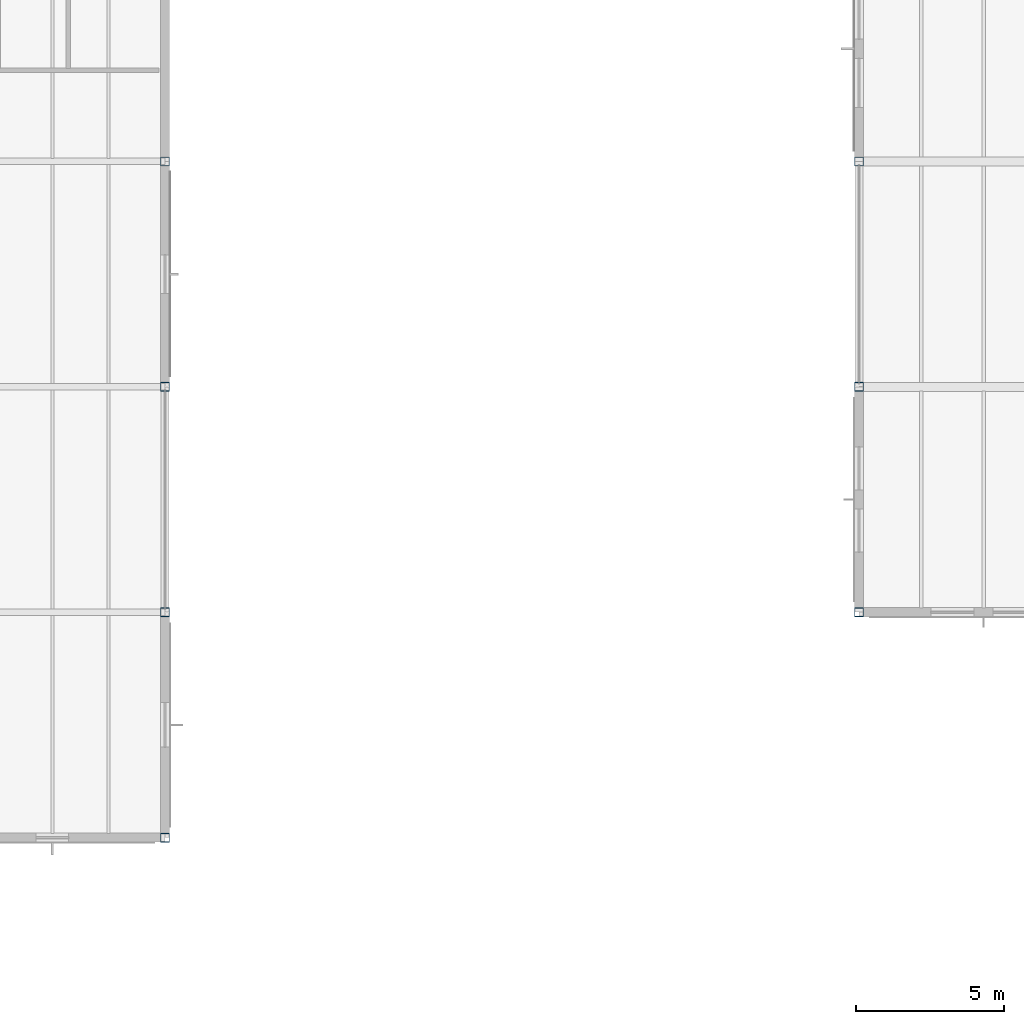
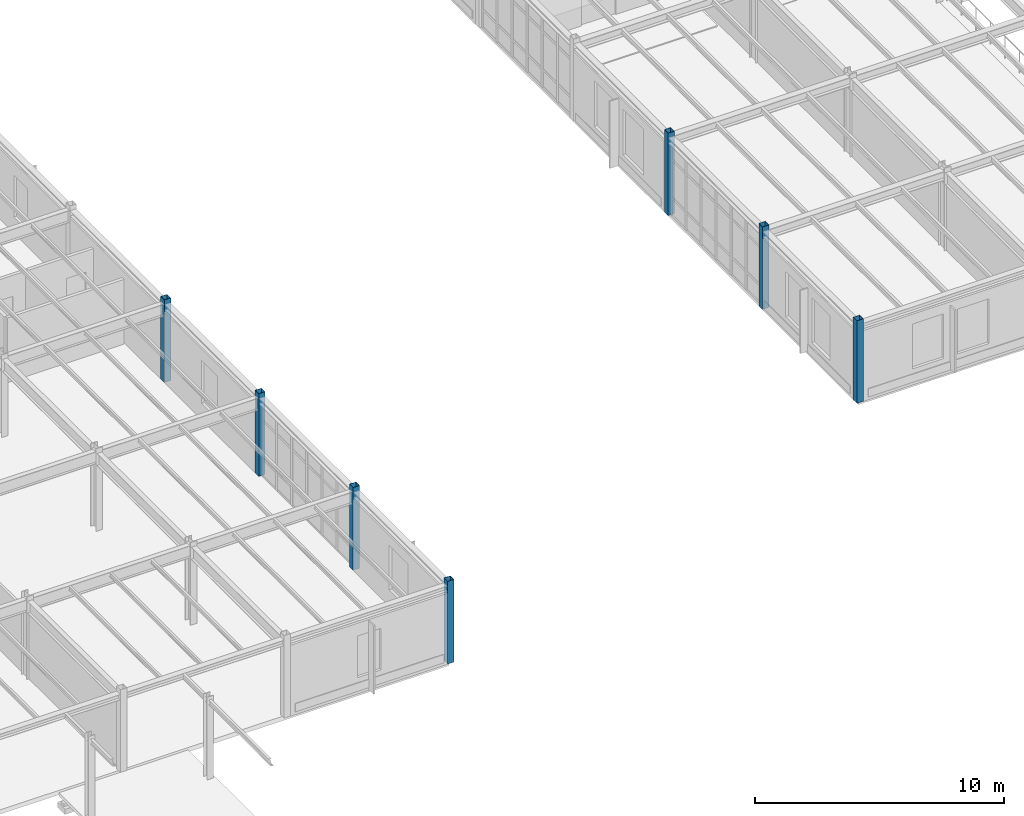
# One storey, part 10 of 165: 7 columns.
"""IFC4 building model written with IfcOpenShell, lengths in metres."""

from ifc_helpers import new_model, si_unit, direction, frame, origin, origin_2d, place, context, subcontext, project, spatial, hollow_rectangle, extrude, material, material_profile, profile_set, type_object, element, save


model = new_model("IFC4")

# Units and contexts
model_context = context("Model", 3, precision=1e-05, world=origin(), true_north=direction((0.0, 1.0)))
body_context = subcontext(model_context, "Body", "Model", "MODEL_VIEW")
ifc_project = project(units=[si_unit("LENGTHUNIT", "METRE"), si_unit("AREAUNIT", "SQUARE_METRE"), si_unit("VOLUMEUNIT", "CUBIC_METRE"), si_unit("PLANEANGLEUNIT", "RADIAN"), si_unit("MASSUNIT", "GRAM", prefix="KILO")], contexts=[model_context])

# Site, building, storey
site_placement = place(None, origin())
site = spatial("IfcSite", under=ifc_project, at=site_placement, CompositionType="ELEMENT")
building_placement = place(site_placement, origin())
building = spatial("IfcBuilding", under=site, at=building_placement, Name="Montecoro Central Library", CompositionType="ELEMENT")
storey_placement = place(building_placement, frame((0.0, 0.0, 5.10009765625)))
storey = spatial("IfcBuildingStorey", under=building, at=storey_placement, Name="L01", CompositionType="ELEMENT", Elevation=5.10009765625)

# Columns
ifc_material = material(Name="Steel S355", Category="steel")
ifc_material_profile = material_profile(ifc_material, hollow_rectangle(XDim=0.300048828125, YDim=0.300048828125, WallThickness=0.012451171875, at=origin_2d()), Name="SHS 300x300x12.5")
ifc_profile_set = profile_set([ifc_material_profile], Name="Steel S355")
column_type = type_object("IfcColumnType", Name="COL-SHS300", PredefinedType="COLUMN", material=ifc_profile_set)
for number, where, z_axis, x_axis, name in (
    (1, (66.39990234375, 81.0, 0.0), (0.0, 0.0, 1.0), (1.0, 0.0, 0.0), "V2-L01-COL-9-L"),
    (2, (66.39990234375, 88.60009765625, 0.0), (0.0, 0.0, 1.0), (1.0, 0.0, 0.0), "V2-L01-COL-9-M"),
    (3, (66.39990234375, 96.199951171875, 0.0), (0.0, 0.0, 1.0), (1.0, 0.0, 0.0), "V2-L01-COL-9-N"),
    (4, (43.0, 73.39990234375, 0.0), (0.0, 0.0, 1.0), (1.0, 0.0, 0.0), "V4-L01-COL-6-K"),
    (5, (43.0, 81.0, 0.0), (0.0, 0.0, 1.0), (1.0, 0.0, 0.0), "V4-L01-COL-6-L"),
    (6, (43.0, 88.60009765625, 0.0), (0.0, 0.0, 1.0), (1.0, 0.0, 0.0), "V4-L01-COL-6-M"),
    (7, (43.0, 96.199951171875, 0.0), (0.0, 0.0, 1.0), (1.0, 0.0, 0.0), "V4-L01-COL-6-N"),
):
    element("IfcColumn", number, at=place(storey_placement, frame(where, z_axis=z_axis, x_axis=x_axis)), inside=storey, type_object=column_type, Name=name, PredefinedType="COLUMN", context=body_context, shape_type="SweptSolid", body=[
        extrude(hollow_rectangle(XDim=0.300048828125, YDim=0.300048828125, WallThickness=0.012451171875, at=origin_2d()), origin(), (0.0, 0.0, 1.0), 4.054931640625),
    ])

save(model, "model.ifc")
